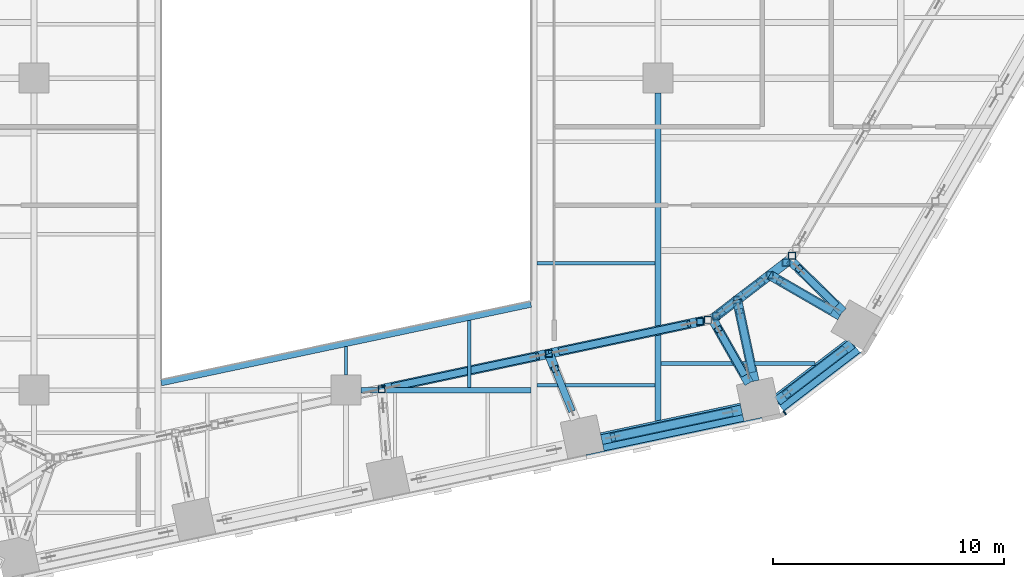
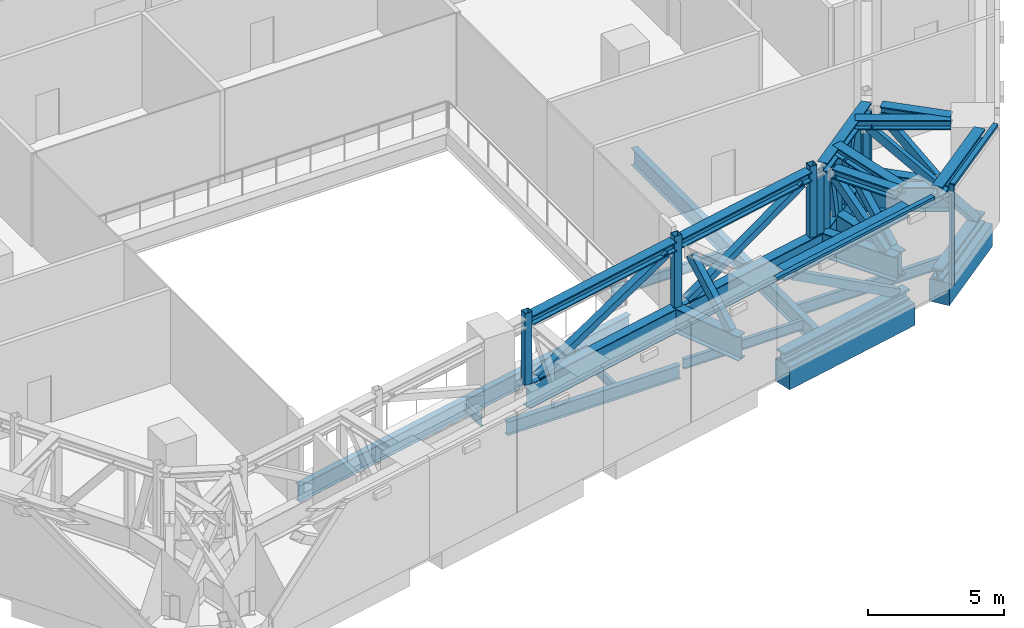
# One storey, part 6 of 36: 42 members, 10 beams, 2 elements without a shape of their own.
"""IFC4 building model written with IfcOpenShell, lengths in metres."""

from ifc_helpers import new_model, si_unit, direction, frame, origin, origin_2d, place, context, subcontext, project, spatial, rectangle, hollow_rectangle, i_section, extrude, material, layer, layer_set, material_profile, profile_set, type_object, element, aggregate, save


model = new_model("IFC4")

# Units and contexts
model_context = context("Model", 3, precision=1e-05, world=origin(), true_north=direction((0.0, 1.0)))
body_context = subcontext(model_context, "Body", "Model", "MODEL_VIEW")
ifc_project = project(units=[si_unit("LENGTHUNIT", "METRE"), si_unit("AREAUNIT", "SQUARE_METRE"), si_unit("VOLUMEUNIT", "CUBIC_METRE"), si_unit("PLANEANGLEUNIT", "RADIAN"), si_unit("MASSUNIT", "GRAM", prefix="KILO")], contexts=[model_context])

# Site, building, storey
site_placement = place(None, origin())
site = spatial("IfcSite", under=ifc_project, at=site_placement, CompositionType="ELEMENT")
building_placement = place(site_placement, origin())
building = spatial("IfcBuilding", under=site, at=building_placement, Name="Isthmus Gate Tower", CompositionType="ELEMENT")
storey_placement = place(building_placement, frame((0.0, 0.0, 117.14990234375)))
storey = spatial("IfcBuildingStorey", under=building, at=storey_placement, Name="L28", CompositionType="ELEMENT", Elevation=117.14990234375)

# Members
ifc_material_1 = material(Name="Structural steel ASTM A913 Gr 65", Category="steel")
ifc_material_profile_1 = material_profile(ifc_material_1, i_section(OverallWidth=0.4287109375, OverallDepth=0.482666015625, WebThickness=0.05078125, FlangeThickness=0.0810546875, at=origin_2d()), Name="W14X455")
ifc_profile_set_1 = profile_set([ifc_material_profile_1], Name="Structural steel ASTM A913 Gr 65")
member_type_1 = type_object("IfcMemberType", Name="BELT TRUSS CHORD W14X455", PredefinedType="CHORD", material=ifc_profile_set_1)
for number, where, z_axis, x_axis, name in (
    (1, (21.892822265625, -24.997314453125, 0.241455078125), (-0.794158246476, -0.607711016483, 0.0), (0.607711016483, -0.794158246476, 0.0), "str-belt09-L28-01"),
    (2, (21.892822265625, -24.997314453125, 3.958740234375), (-0.794158246476, -0.607711016483, 0.0), (0.607711016483, -0.794158246476, 0.0), "str-belt09-L28-02"),
):
    element("IfcMember", number, at=place(storey_placement, frame(where, z_axis=z_axis, x_axis=x_axis)), inside=storey, type_object=member_type_1, Name=name, PredefinedType="CHORD", context=body_context, shape_type="SweptSolid", body=[
        extrude(i_section(OverallWidth=0.4287109375, OverallDepth=0.482666015625, WebThickness=0.05078125, FlangeThickness=0.0810546875, at=origin_2d()), origin(), (0.0, 0.0, 1.0), 4.063232421875),
    ])
for number, where, z_axis, x_axis, name in (
    (3, (17.112060546875, -27.8515625, 0.241455078125), (-0.978147421176, -0.207912535568, 0.0), (0.207912535568, -0.978147421176, 0.0), "str-belt10-L28-01"),
    (4, (17.112060546875, -27.8515625, 3.958740234375), (-0.978147421176, -0.207912535568, 0.0), (0.207912535568, -0.978147421176, 0.0), "str-belt10-L28-02"),
):
    element("IfcMember", number, at=place(storey_placement, frame(where, z_axis=z_axis, x_axis=x_axis)), inside=storey, type_object=member_type_1, Name=name, PredefinedType="CHORD", context=body_context, shape_type="SweptSolid", body=[
        extrude(i_section(OverallWidth=0.4287109375, OverallDepth=0.482666015625, WebThickness=0.05078125, FlangeThickness=0.0810546875, at=origin_2d()), origin(), (0.0, 0.0, 1.0), 6.189453125),
    ])

# Curtain wall, member
ifc_material_2 = material(Name="Aluminium, pale champagne anodised", Category="aluminium")
ifc_layer = layer(ifc_material_2, 0.199951171875)
ifc_layer_set = layer_set([ifc_layer], Name="CW-2 LOUVRE CURTAIN WALL 200 DEEP")
curtain_wall_type = type_object("IfcCurtainWallType", Name="CW-2 LOUVRE CURTAIN WALL 200 DEEP", PredefinedType="NOTDEFINED", material=ifc_layer_set)
curtain_wall_1_placement = place(storey_placement, origin())
curtain_wall_1 = element("IfcCurtainWall", 5, at=curtain_wall_1_placement, inside=storey, type_object=curtain_wall_type, Name="CW-2 S-SE L28", PredefinedType="NOTDEFINED")
ifc_material_3 = material(Name="Aluminium, pale champagne anodised", Category="aluminium")
ifc_material_profile_2 = material_profile(ifc_material_3, rectangle(XDim=0.06005859375, YDim=0.199951171875, at=origin_2d()), Name="60x200")
ifc_profile_set_2 = profile_set([ifc_material_profile_2], Name="Aluminium, pale champagne anodised")
member_type_2 = type_object("IfcMemberType", Name="CW-2 MULLION 60 X 200", PredefinedType="MULLION", material=ifc_profile_set_2)
member_1_placement = place(storey_placement, frame((18.978759765625, -27.982421875, 0.0), z_axis=(0.0, 0.0, 1.0), x_axis=(0.794188594387, 0.607671355706, 0.0)))
member_1 = element("IfcMember", 6, at=member_1_placement, type_object=member_type_2, Name="CW-2 mullion", PredefinedType="MULLION", context=body_context, shape_type="SweptSolid", body=[
    extrude(rectangle(XDim=0.06005859375, YDim=0.199951171875, at=origin_2d()), origin(), (0.0, 0.0, 1.0), 4.5),
])

curtain_wall_2_placement = place(storey_placement, origin())
curtain_wall_2 = element("IfcCurtainWall", 7, at=curtain_wall_2_placement, inside=storey, type_object=curtain_wall_type, Name="CW-2 S L28", PredefinedType="NOTDEFINED")
ifc_material_4 = material(Name="Aluminium, pale champagne anodised", Category="aluminium")
ifc_material_profile_3 = material_profile(ifc_material_4, rectangle(XDim=0.199951171875, YDim=0.1201171875, at=origin_2d()), Name="200x120")
ifc_profile_set_3 = profile_set([ifc_material_profile_3], Name="Aluminium, pale champagne anodised")
member_type_3 = type_object("IfcMemberType", Name="CW-2 TRANSOM 200 X 120", PredefinedType="USERDEFINED", material=ifc_profile_set_3)
member_2_placement = place(storey_placement, frame((10.400146484375, -29.8916015625, 4.440185546875), z_axis=(0.978150565745, 0.207897741047, 0.0), x_axis=(-0.207897741047, 0.978150565745, 0.0)))
member_2 = element("IfcMember", 8, at=member_2_placement, type_object=member_type_3, Name="CW-2 transom", ObjectType="TRANSOM", PredefinedType="USERDEFINED", context=body_context, shape_type="SweptSolid", body=[
    extrude(rectangle(XDim=0.199951171875, YDim=0.1201171875, at=origin_2d()), origin(), (0.0, 0.0, 1.0), 7.789306640625),
])
aggregate(curtain_wall_2, [member_2])

# Member
member_3_placement = place(storey_placement, frame((19.002685546875, -27.96435546875, 4.440185546875), z_axis=(0.794175498212, 0.607688471209, 0.0), x_axis=(-0.607688471209, 0.794175498212, 0.0)))
member_3 = element("IfcMember", 9, at=member_3_placement, type_object=member_type_3, Name="CW-2 transom", ObjectType="TRANSOM", PredefinedType="USERDEFINED", context=body_context, shape_type="SweptSolid", body=[
    extrude(rectangle(XDim=0.199951171875, YDim=0.1201171875, at=origin_2d()), origin(), (0.0, 0.0, 1.0), 4.181396484375),
])

aggregate(curtain_wall_1, [member_1, member_3])

# Beams
ifc_material_5 = material(Name="Concrete f'c 70 MPa", Category="concrete")
ifc_material_profile_4 = material_profile(ifc_material_5, rectangle(XDim=0.800048828125, YDim=1.0, at=origin_2d()), Name="RC 800X1000")
ifc_profile_set_4 = profile_set([ifc_material_profile_4], Name="Concrete f'c 70 MPa")
beam_type_1 = type_object("IfcBeamType", Name="RC SPANDREL 800 X 1000", PredefinedType="SPANDREL", material=ifc_profile_set_4)
beam_1_placement = place(storey_placement, frame((21.98681640625, -25.051513671875, -0.5), z_axis=(-0.794205941875, -0.607648682949, 0.0), x_axis=(0.607648682949, -0.794205941875, 0.0)))
element("IfcBeam", 10, at=beam_1_placement, inside=storey, type_object=beam_type_1, Name="str-spandrel-L28-09", PredefinedType="SPANDREL", context=body_context, shape_type="SweptSolid", body=[
    extrude(rectangle(XDim=0.800048828125, YDim=1.0, at=origin_2d()), origin(), (0.0, 0.0, 1.0), 4.15234375),
])
beam_2_placement = place(storey_placement, frame((17.1328125, -27.949462890625, -0.5), z_axis=(-0.978147421176, -0.207912535568, 0.0), x_axis=(0.207912535568, -0.978147421176, 0.0)))
element("IfcBeam", 11, at=beam_2_placement, inside=storey, type_object=beam_type_1, Name="str-spandrel-L28-10", PredefinedType="SPANDREL", context=body_context, shape_type="SweptSolid", body=[
    extrude(rectangle(XDim=0.800048828125, YDim=1.0, at=origin_2d()), origin(), (0.0, 0.0, 1.0), 6.189453125),
])
ifc_material_6 = material(Name="Structural steel ASTM A992 Gr 50", Category="steel")
ifc_material_profile_5 = material_profile(ifc_material_6, i_section(OverallWidth=0.1396484375, OverallDepth=0.4033203125, WebThickness=0.00634765625, FlangeThickness=0.010986328125, at=origin_2d()), Name="W16X31")
ifc_profile_set_5 = profile_set([ifc_material_profile_5], Name="Structural steel ASTM A992 Gr 50")
beam_type_2 = type_object("IfcBeamType", Name="STEEL FLOOR BEAM W16X31", PredefinedType="JOIST", material=ifc_profile_set_5)
beam_3_placement = place(storey_placement, frame((0.0, -26.35009765625, -0.50146484375), z_axis=(0.0, 1.0, 0.0), x_axis=(-1.0, 0.0, 0.0)))
element("IfcBeam", 12, at=beam_3_placement, inside=storey, type_object=beam_type_2, Name="str-beam-L28-18-00", PredefinedType="JOIST", context=body_context, shape_type="SweptSolid", body=[
    extrude(i_section(OverallWidth=0.1396484375, OverallDepth=0.4033203125, WebThickness=0.00634765625, FlangeThickness=0.010986328125, at=origin_2d()), origin(), (0.0, 0.0, 1.0), 1.23388671875),
])
beam_4_placement = place(storey_placement, frame((5.333251953125, -26.8857421875, -0.50146484375), z_axis=(0.0, 1.0, 0.0), x_axis=(-1.0, 0.0, 0.0)))
element("IfcBeam", 13, at=beam_4_placement, inside=storey, type_object=beam_type_2, Name="str-beam-L28-18-01", PredefinedType="JOIST", context=body_context, shape_type="SweptSolid", body=[
    extrude(i_section(OverallWidth=0.1396484375, OverallDepth=0.4033203125, WebThickness=0.00634765625, FlangeThickness=0.010986328125, at=origin_2d()), origin(), (0.0, 0.0, 1.0), 2.903076171875),
])
ifc_material_7 = material(Name="Structural steel ASTM A992 Gr 50", Category="steel")
ifc_material_profile_6 = material_profile(ifc_material_7, i_section(OverallWidth=0.15234375, OverallDepth=0.45068359375, WebThickness=0.0078125, FlangeThickness=0.010986328125, at=origin_2d()), Name="W18X35")
ifc_profile_set_6 = profile_set([ifc_material_profile_6], Name="Structural steel ASTM A992 Gr 50")
beam_type_3 = type_object("IfcBeamType", Name="STEEL FLOOR BEAM W18X35", PredefinedType="JOIST", material=ifc_profile_set_6)
for number, where, z_axis, x_axis, name in (
    (14, (8.263427734375, -26.788818359375, -0.525390625), (1.0, 0.0, 0.0), (0.0, 1.0, 0.0), "str-beam-L28-23-00"),
    (15, (8.263427734375, -21.51513671875, -0.525390625), (1.0, 0.0, 0.0), (0.0, 1.0, 0.0), "str-beam-L28-23-01"),
):
    element("IfcBeam", number, at=place(storey_placement, frame(where, z_axis=z_axis, x_axis=x_axis)), inside=storey, type_object=beam_type_3, Name=name, PredefinedType="JOIST", context=body_context, shape_type="SweptSolid", body=[
        extrude(i_section(OverallWidth=0.15234375, OverallDepth=0.45068359375, WebThickness=0.0078125, FlangeThickness=0.010986328125, at=origin_2d()), origin(), (0.0, 0.0, 1.0), 5.103271484375),
    ])
ifc_material_8 = material(Name="Structural steel ASTM A992 Gr 50", Category="steel")
ifc_material_profile_7 = material_profile(ifc_material_8, i_section(OverallWidth=0.1650390625, OverallDepth=0.52392578125, WebThickness=0.009521484375, FlangeThickness=0.010986328125, at=origin_2d()), Name="W21X44")
ifc_profile_set_7 = profile_set([ifc_material_profile_7], Name="Structural steel ASTM A992 Gr 50")
beam_type_4 = type_object("IfcBeamType", Name="STEEL FLOOR BEAM W21X44", PredefinedType="JOIST", material=ifc_profile_set_7)
beam_5_placement = place(storey_placement, frame((13.63330078125, -25.842529296875, -0.561767578125), z_axis=(1.0, 0.0, 0.0), x_axis=(0.0, 1.0, 0.0)))
element("IfcBeam", 16, at=beam_5_placement, inside=storey, type_object=beam_type_4, Name="str-beam-L28-28-00", PredefinedType="JOIST", context=body_context, shape_type="SweptSolid", body=[
    extrude(i_section(OverallWidth=0.1650390625, OverallDepth=0.52392578125, WebThickness=0.009521484375, FlangeThickness=0.010986328125, at=origin_2d()), origin(), (0.0, 0.0, 1.0), 6.661376953125),
])
ifc_material_9 = material(Name="Structural steel ASTM A992 Gr 50", Category="steel")
ifc_material_profile_8 = material_profile(ifc_material_9, i_section(OverallWidth=0.228515625, OverallDepth=0.603271484375, WebThickness=0.010986328125, FlangeThickness=0.014404296875, at=origin_2d()), Name="W24X68")
ifc_profile_set_8 = profile_set([ifc_material_profile_8], Name="Structural steel ASTM A992 Gr 50")
beam_type_5 = type_object("IfcBeamType", Name="STEEL GIRDER W24X68", PredefinedType="BEAM", material=ifc_profile_set_8)
beam_6_placement = place(storey_placement, frame((0.64990234375, -27.0, -0.6015625), z_axis=(1.0, 0.0, 0.0), x_axis=(0.0, 1.0, 0.0)))
element("IfcBeam", 17, at=beam_6_placement, inside=storey, type_object=beam_type_5, Name="str-girder-L28-04", PredefinedType="BEAM", context=body_context, shape_type="SweptSolid", body=[
    extrude(i_section(OverallWidth=0.228515625, OverallDepth=0.603271484375, WebThickness=0.010986328125, FlangeThickness=0.014404296875, at=origin_2d()), origin(), (0.0, 0.0, 1.0), 7.35009765625),
])
ifc_material_10 = material(Name="Structural steel ASTM A992 Gr 50", Category="steel")
ifc_material_profile_9 = material_profile(ifc_material_10, i_section(OverallWidth=0.2666015625, OverallDepth=0.7587890625, WebThickness=0.014404296875, FlangeThickness=0.01904296875, at=origin_2d()), Name="W30X108")
ifc_profile_set_9 = profile_set([ifc_material_profile_9], Name="Structural steel ASTM A992 Gr 50")
beam_type_6 = type_object("IfcBeamType", Name="STEEL GIRDER W30X108", PredefinedType="BEAM", material=ifc_profile_set_9)
beam_7_placement = place(storey_placement, frame((13.5, -28.3125, -0.67919921875), z_axis=(0.0, 1.0, 0.0), x_axis=(-1.0, 0.0, 0.0)))
element("IfcBeam", 18, at=beam_7_placement, inside=storey, type_object=beam_type_6, Name="str-girder-L28-32", PredefinedType="BEAM", context=body_context, shape_type="SweptSolid", body=[
    extrude(i_section(OverallWidth=0.2666015625, OverallDepth=0.7587890625, WebThickness=0.014404296875, FlangeThickness=0.01904296875, at=origin_2d()), origin(), (0.0, 0.0, 1.0), 14.16259765625),
])
ifc_material_11 = material(Name="Structural steel ASTM A992 Gr 50", Category="steel")
ifc_material_profile_10 = material_profile(ifc_material_11, i_section(OverallWidth=0.2666015625, OverallDepth=0.7587890625, WebThickness=0.014404296875, FlangeThickness=0.01904296875, at=origin_2d()), Name="W30X108")
ifc_profile_set_10 = profile_set([ifc_material_profile_10], Name="Structural steel ASTM A992 Gr 50")
beam_type_7 = type_object("IfcBeamType", Name="STEEL TRIMMER W30X108", PredefinedType="BEAM", material=ifc_profile_set_10)
beam_8_placement = place(storey_placement, frame((-8.0, -26.680419921875, -0.67919921875), z_axis=(0.978147924985, 0.20791016533, 0.0), x_axis=(-0.20791016533, 0.978147924985, 0.0)))
element("IfcBeam", 19, at=beam_8_placement, inside=storey, type_object=beam_type_7, Name="str-trimmer-L28-03", PredefinedType="BEAM", context=body_context, shape_type="SweptSolid", body=[
    extrude(i_section(OverallWidth=0.2666015625, OverallDepth=0.7587890625, WebThickness=0.014404296875, FlangeThickness=0.01904296875, at=origin_2d()), origin(), (0.0, 0.0, 1.0), 16.357421875),
])

# Members
ifc_material_12 = material(Name="Structural steel ASTM A913 Gr 65", Category="steel")
ifc_material_profile_11 = material_profile(ifc_material_12, i_section(OverallWidth=0.40966796875, OverallDepth=0.42529296875, WebThickness=0.033203125, FlangeThickness=0.052490234375, at=origin_2d()), Name="W14X283")
ifc_profile_set_11 = profile_set([ifc_material_profile_11], Name="Structural steel ASTM A913 Gr 65")
member_type_4 = type_object("IfcMemberType", Name="TRANSFER TRUSS CHORD W14X283", PredefinedType="CHORD", material=ifc_profile_set_11)
member_4_placement = place(storey_placement, frame((19.193115234375, -21.356689453125, 3.887451171875), z_axis=(-0.794209705394, -0.607643763942, 0.0), x_axis=(0.607643763942, -0.794209705394, 0.0)))
element("IfcMember", 20, at=member_4_placement, inside=storey, type_object=member_type_4, Name="str-ring04-L28-06", PredefinedType="CHORD", context=body_context, shape_type="SweptSolid", body=[
    extrude(i_section(OverallWidth=0.40966796875, OverallDepth=0.42529296875, WebThickness=0.033203125, FlangeThickness=0.052490234375, at=origin_2d()), origin(), (0.0, 0.0, 1.0), 4.211181640625),
])
member_5_placement = place(storey_placement, frame((15.16943359375, -24.06005859375, 3.887451171875), z_axis=(-0.978152923929, -0.207886645575, 0.0), x_axis=(0.207886645575, -0.978152923929, 0.0)))
element("IfcMember", 21, at=member_5_placement, inside=storey, type_object=member_type_4, Name="str-ring05-L28-14", PredefinedType="CHORD", context=body_context, shape_type="SweptSolid", body=[
    extrude(i_section(OverallWidth=0.40966796875, OverallDepth=0.42529296875, WebThickness=0.033203125, FlangeThickness=0.052490234375, at=origin_2d()), origin(), (0.0, 0.0, 1.0), 6.38623046875),
])
member_6_placement = place(storey_placement, frame((8.62451171875, -25.451171875, 3.887451171875), z_axis=(-0.978145452061, -0.207921799274, 0.0), x_axis=(0.207921799274, -0.978145452061, 0.0)))
element("IfcMember", 22, at=member_6_placement, inside=storey, type_object=member_type_4, Name="str-ring05-L28-15", PredefinedType="CHORD", context=body_context, shape_type="SweptSolid", body=[
    extrude(i_section(OverallWidth=0.40966796875, OverallDepth=0.42529296875, WebThickness=0.033203125, FlangeThickness=0.052490234375, at=origin_2d()), origin(), (0.0, 0.0, 1.0), 7.086181640625),
])
member_7_placement = place(storey_placement, frame((17.665771484375, -26.609375, 3.887451171875), z_axis=(-0.207880707523, 0.978154185923, 0.0), x_axis=(-0.978154185923, -0.207880707523, 0.0)))
element("IfcMember", 23, at=member_7_placement, inside=storey, type_object=member_type_4, Name="str-link17-L28-02", PredefinedType="CHORD", context=body_context, shape_type="SweptSolid", body=[
    extrude(i_section(OverallWidth=0.40966796875, OverallDepth=0.42529296875, WebThickness=0.033203125, FlangeThickness=0.052490234375, at=origin_2d()), origin(), (0.0, 0.0, 1.0), 3.59130859375),
])
member_8_placement = place(storey_placement, frame((21.376220703125, -23.775146484375, 3.887451171875), z_axis=(-0.866026063804, 0.499998856811, 0.0), x_axis=(-0.499998856811, -0.866026063804, 0.0)))
element("IfcMember", 24, at=member_8_placement, inside=storey, type_object=member_type_4, Name="str-link18-L28-02", PredefinedType="CHORD", context=body_context, shape_type="SweptSolid", body=[
    extrude(i_section(OverallWidth=0.40966796875, OverallDepth=0.42529296875, WebThickness=0.033203125, FlangeThickness=0.052490234375, at=origin_2d()), origin(), (0.0, 0.0, 1.0), 3.51708984375),
])
member_9_placement = place(storey_placement, frame((21.497802734375, -23.615234375, 3.887451171875), z_axis=(-0.714213754731, 0.699927648084, 0.0), x_axis=(-0.699927648084, -0.714213754731, 0.0)))
element("IfcMember", 25, at=member_9_placement, inside=storey, type_object=member_type_4, Name="str-link31-L28-02", PredefinedType="CHORD", context=body_context, shape_type="SweptSolid", body=[
    extrude(i_section(OverallWidth=0.40966796875, OverallDepth=0.42529296875, WebThickness=0.033203125, FlangeThickness=0.052490234375, at=origin_2d()), origin(), (0.0, 0.0, 1.0), 2.666015625),
])
member_10_placement = place(storey_placement, frame((17.435791015625, -26.697021484375, 3.887451171875), z_axis=(-0.495668559922, 0.868511760833, 0.0), x_axis=(-0.868511760833, -0.495668559922, 0.0)))
element("IfcMember", 26, at=member_10_placement, inside=storey, type_object=member_type_4, Name="str-link32-L28-02", PredefinedType="CHORD", context=body_context, shape_type="SweptSolid", body=[
    extrude(i_section(OverallWidth=0.40966796875, OverallDepth=0.42529296875, WebThickness=0.033203125, FlangeThickness=0.052490234375, at=origin_2d()), origin(), (0.0, 0.0, 1.0), 2.683349609375),
])
ifc_material_13 = material(Name="Structural steel ASTM A913 Gr 65", Category="steel")
ifc_material_profile_12 = material_profile(ifc_material_13, i_section(OverallWidth=0.39990234375, OverallDepth=1.089111328125, WebThickness=0.017578125, FlangeThickness=0.03173828125, at=origin_2d()), Name="W44X230")
ifc_profile_set_12 = profile_set([ifc_material_profile_12], Name="Structural steel ASTM A913 Gr 65")
member_type_5 = type_object("IfcMemberType", Name="TRANSFER TRUSS CHORD W44X230", PredefinedType="CHORD", material=ifc_profile_set_12)
member_11_placement = place(storey_placement, frame((19.193115234375, -21.356689453125, 0.544677734375), z_axis=(-0.794209705394, -0.607643763942, 0.0), x_axis=(0.607643763942, -0.794209705394, 0.0)))
element("IfcMember", 27, at=member_11_placement, inside=storey, type_object=member_type_5, Name="str-ring04-L28-05", PredefinedType="CHORD", context=body_context, shape_type="SweptSolid", body=[
    extrude(i_section(OverallWidth=0.39990234375, OverallDepth=1.089111328125, WebThickness=0.017578125, FlangeThickness=0.03173828125, at=origin_2d()), origin(), (0.0, 0.0, 1.0), 4.211181640625),
])
member_12_placement = place(storey_placement, frame((15.8486328125, -23.91552734375, 0.544677734375), z_axis=(-0.978145380732, -0.207922134832, 0.0), x_axis=(0.207922134832, -0.978145380732, 0.0)))
element("IfcMember", 28, at=member_12_placement, inside=storey, type_object=member_type_5, Name="str-ring05-L28-09", PredefinedType="CHORD", context=body_context, shape_type="SweptSolid", body=[
    extrude(i_section(OverallWidth=0.39990234375, OverallDepth=1.089111328125, WebThickness=0.017578125, FlangeThickness=0.03173828125, at=origin_2d()), origin(), (0.0, 0.0, 1.0), 7.23291015625),
])
member_13_placement = place(storey_placement, frame((8.773681640625, -25.41943359375, 0.544677734375), z_axis=(-0.978149111547, -0.207904582874, 0.0), x_axis=(0.207904582874, -0.978149111547, 0.0)))
element("IfcMember", 29, at=member_13_placement, inside=storey, type_object=member_type_5, Name="str-ring05-L28-10", PredefinedType="CHORD", context=body_context, shape_type="SweptSolid", body=[
    extrude(i_section(OverallWidth=0.39990234375, OverallDepth=1.089111328125, WebThickness=0.017578125, FlangeThickness=0.03173828125, at=origin_2d()), origin(), (0.0, 0.0, 1.0), 7.39111328125),
])
member_14_placement = place(storey_placement, frame((9.91552734375, -28.268798828125, 0.544677734375), z_axis=(-0.371980249656, 0.928240644373, 0.0), x_axis=(-0.928240644373, -0.371980249656, 0.0)))
element("IfcMember", 30, at=member_14_placement, inside=storey, type_object=member_type_5, Name="str-link16-L28-01", PredefinedType="CHORD", context=body_context, shape_type="SweptSolid", body=[
    extrude(i_section(OverallWidth=0.39990234375, OverallDepth=1.089111328125, WebThickness=0.017578125, FlangeThickness=0.03173828125, at=origin_2d()), origin(), (0.0, 0.0, 1.0), 3.069580078125),
])
member_15_placement = place(storey_placement, frame((17.665771484375, -26.609375, 0.544677734375), z_axis=(-0.207880707523, 0.978154185923, 0.0), x_axis=(-0.978154185923, -0.207880707523, 0.0)))
element("IfcMember", 31, at=member_15_placement, inside=storey, type_object=member_type_5, Name="str-link17-L28-01", PredefinedType="CHORD", context=body_context, shape_type="SweptSolid", body=[
    extrude(i_section(OverallWidth=0.39990234375, OverallDepth=1.089111328125, WebThickness=0.017578125, FlangeThickness=0.03173828125, at=origin_2d()), origin(), (0.0, 0.0, 1.0), 3.59130859375),
])
member_16_placement = place(storey_placement, frame((21.376220703125, -23.775146484375, 0.544677734375), z_axis=(-0.866026063804, 0.499998856811, 0.0), x_axis=(-0.499998856811, -0.866026063804, 0.0)))
element("IfcMember", 32, at=member_16_placement, inside=storey, type_object=member_type_5, Name="str-link18-L28-01", PredefinedType="CHORD", context=body_context, shape_type="SweptSolid", body=[
    extrude(i_section(OverallWidth=0.39990234375, OverallDepth=1.089111328125, WebThickness=0.017578125, FlangeThickness=0.03173828125, at=origin_2d()), origin(), (0.0, 0.0, 1.0), 3.51708984375),
])
member_17_placement = place(storey_placement, frame((21.497802734375, -23.615234375, 0.544677734375), z_axis=(-0.714220403451, 0.699920863594, 0.0), x_axis=(-0.699920863594, -0.714220403451, 0.0)))
element("IfcMember", 33, at=member_17_placement, inside=storey, type_object=member_type_5, Name="str-link31-L28-01", PredefinedType="CHORD", context=body_context, shape_type="SweptSolid", body=[
    extrude(i_section(OverallWidth=0.39990234375, OverallDepth=1.089111328125, WebThickness=0.017578125, FlangeThickness=0.03173828125, at=origin_2d()), origin(), (0.0, 0.0, 1.0), 3.226806640625),
])
member_18_placement = place(storey_placement, frame((17.435791015625, -26.697021484375, 0.544677734375), z_axis=(-0.495605198069, 0.868547919028, 0.0), x_axis=(-0.868547919028, -0.495605198069, 0.0)))
element("IfcMember", 34, at=member_18_placement, inside=storey, type_object=member_type_5, Name="str-link32-L28-01", PredefinedType="CHORD", context=body_context, shape_type="SweptSolid", body=[
    extrude(i_section(OverallWidth=0.39990234375, OverallDepth=1.089111328125, WebThickness=0.017578125, FlangeThickness=0.03173828125, at=origin_2d()), origin(), (0.0, 0.0, 1.0), 3.202392578125),
])
ifc_material_14 = material(Name="Structural steel ASTM A500 Gr C", Category="steel")
ifc_material_profile_13 = material_profile(ifc_material_14, hollow_rectangle(XDim=0.3046875, YDim=0.3046875, WallThickness=0.014892578125, at=origin_2d()), Name="HSS12X12X5/8")
ifc_profile_set_13 = profile_set([ifc_material_profile_13], Name="Structural steel ASTM A500 Gr C")
member_type_6 = type_object("IfcMemberType", Name="TRANSFER TRUSS DIAGONAL HSS12X12X5/8", PredefinedType="BRACE", material=ifc_profile_set_13)
member_19_placement = place(storey_placement, frame((17.31640625, -22.79248046875, 1.089111328125), z_axis=(0.228593087557, 0.17488094594, 0.95768567655), x_axis=(-0.607613355692, 0.794232969591, 0.0)))
element("IfcMember", 35, at=member_19_placement, inside=storey, type_object=member_type_6, Name="str-ring04-L28-07", PredefinedType="BRACE", context=body_context, shape_type="SweptSolid", body=[
    extrude(hollow_rectangle(XDim=0.3046875, YDim=0.3046875, WallThickness=0.014892578125, at=origin_2d()), origin(), (0.0, 0.0, 1.0), 2.699951171875),
])
member_20_placement = place(storey_placement, frame((16.70166015625, -23.262939453125, 1.089111328125), z_axis=(-0.179537516737, -0.137320446971, 0.974119794957), x_axis=(0.607525624175, -0.794300079297, 0.0)))
element("IfcMember", 36, at=member_20_placement, inside=storey, type_object=member_type_6, Name="str-ring04-L28-08", PredefinedType="BRACE", context=body_context, shape_type="SweptSolid", body=[
    extrude(hollow_rectangle(XDim=0.3046875, YDim=0.3046875, WallThickness=0.014892578125, at=origin_2d()), origin(), (0.0, 0.0, 1.0), 2.654296875),
])
member_21_placement = place(storey_placement, frame((9.2626953125, -25.3154296875, 1.089111328125), z_axis=(0.890542725895, 0.189271086781, 0.41365457699), x_axis=(-0.20789107946, 0.978151981586, 0.0)))
element("IfcMember", 37, at=member_21_placement, inside=storey, type_object=member_type_6, Name="str-ring05-L28-19", PredefinedType="BRACE", context=body_context, shape_type="SweptSolid", body=[
    extrude(hollow_rectangle(XDim=0.3046875, YDim=0.3046875, WallThickness=0.014892578125, at=origin_2d()), origin(), (0.0, 0.0, 1.0), 6.250732421875),
])
member_22_placement = place(storey_placement, frame((2.033203125, -26.852294921875, 1.089111328125), z_axis=(0.90674784852, 0.192745002714, 0.375043601643), x_axis=(-0.207921803136, 0.97814545124, 0.0)))
element("IfcMember", 38, at=member_22_placement, inside=storey, type_object=member_type_6, Name="str-ring05-L28-20", PredefinedType="BRACE", context=body_context, shape_type="SweptSolid", body=[
    extrude(hollow_rectangle(XDim=0.3046875, YDim=0.3046875, WallThickness=0.014892578125, at=origin_2d()), origin(), (0.0, 0.0, 1.0), 6.894287109375),
])
member_23_placement = place(storey_placement, frame((9.7294921875, -27.804443359375, 1.089111328125), z_axis=(-0.217111192411, 0.541858018347, 0.811943728397), x_axis=(-0.928259153668, -0.371934058176, 0.0)))
element("IfcMember", 39, at=member_23_placement, inside=storey, type_object=member_type_6, Name="str-link16-L28-03", PredefinedType="BRACE", context=body_context, shape_type="SweptSolid", body=[
    extrude(hollow_rectangle(XDim=0.3046875, YDim=0.3046875, WallThickness=0.014892578125, at=origin_2d()), origin(), (0.0, 0.0, 1.0), 3.1845703125),
])
member_24_placement = place(storey_placement, frame((17.561767578125, -26.1201171875, 1.089111328125), z_axis=(-0.147124991709, 0.692407825892, 0.706346685034), x_axis=(-0.978162203112, -0.207842980164, 0.0)))
element("IfcMember", 40, at=member_24_placement, inside=storey, type_object=member_type_6, Name="str-link17-L28-03", PredefinedType="BRACE", context=body_context, shape_type="SweptSolid", body=[
    extrude(hollow_rectangle(XDim=0.3046875, YDim=0.3046875, WallThickness=0.014892578125, at=origin_2d()), origin(), (0.0, 0.0, 1.0), 3.66064453125),
])
member_25_placement = place(storey_placement, frame((20.943115234375, -23.525146484375, 1.089111328125), z_axis=(-0.604053885108, 0.348778872954, 0.716569746548), x_axis=(-0.500030321368, -0.866007897027, 0.0)))
element("IfcMember", 41, at=member_25_placement, inside=storey, type_object=member_type_6, Name="str-link18-L28-03", PredefinedType="BRACE", context=body_context, shape_type="SweptSolid", body=[
    extrude(hollow_rectangle(XDim=0.3046875, YDim=0.3046875, WallThickness=0.014892578125, at=origin_2d()), origin(), (0.0, 0.0, 1.0), 3.6083984375),
])
member_26_placement = place(storey_placement, frame((21.140625, -23.265380859375, 1.089111328125), z_axis=(-0.458603025496, 0.449483078967, 0.766582172196), x_axis=(-0.699969978827, -0.714172268252, 0.0)))
element("IfcMember", 42, at=member_26_placement, inside=storey, type_object=member_type_6, Name="str-link31-L28-03", PredefinedType="BRACE", context=body_context, shape_type="SweptSolid", body=[
    extrude(hollow_rectangle(XDim=0.3046875, YDim=0.3046875, WallThickness=0.014892578125, at=origin_2d()), origin(), (0.0, 0.0, 1.0), 3.373046875),
])
member_27_placement = place(storey_placement, frame((17.18798828125, -26.2626953125, 1.089111328125), z_axis=(-0.319801768107, 0.560320399929, 0.764047039481), x_axis=(-0.868497630904, -0.4956933176, 0.0)))
element("IfcMember", 43, at=member_27_placement, inside=storey, type_object=member_type_6, Name="str-link32-L28-03", PredefinedType="BRACE", context=body_context, shape_type="SweptSolid", body=[
    extrude(hollow_rectangle(XDim=0.3046875, YDim=0.3046875, WallThickness=0.014892578125, at=origin_2d()), origin(), (0.0, 0.0, 1.0), 3.38427734375),
])
ifc_material_15 = material(Name="Structural steel ASTM A500 Gr C", Category="steel")
ifc_material_profile_14 = material_profile(ifc_material_15, hollow_rectangle(XDim=0.3046875, YDim=0.3046875, WallThickness=0.014892578125, at=origin_2d()), Name="HSS12X12X5/8")
ifc_profile_set_14 = profile_set([ifc_material_profile_14], Name="Structural steel ASTM A500 Gr C")
member_type_7 = type_object("IfcMemberType", Name="TRANSFER TRUSS POST HSS12X12X5/8", PredefinedType="POST", material=ifc_profile_set_14)
for number, where, z_axis, x_axis, name in (
    (44, (19.293212890625, -21.18310546875, 1.089111328125), (0.0, 0.0, 1.0), (1.0, 0.0, 0.0), "str-ring03-L28-10"),
    (45, (19.0341796875, -21.47802734375, 1.089111328125), (0.0, 0.0, 1.0), (1.0, 0.0, 0.0), "str-ring04-L28-01"),
    (46, (18.33056640625, -22.0166015625, 1.089111328125), (0.0, 0.0, 1.0), (1.0, 0.0, 0.0), "str-ring04-L28-02"),
    (47, (16.91943359375, -23.096435546875, 1.089111328125), (0.0, 0.0, 1.0), (1.0, 0.0, 0.0), "str-ring04-L28-03"),
    (48, (16.007568359375, -23.7939453125, 1.089111328125), (0.0, 0.0, 1.0), (1.0, 0.0, 0.0), "str-ring04-L28-04"),
    (49, (15.65283203125, -23.957275390625, 1.089111328125), (0.0, 0.0, 1.0), (1.0, 0.0, 0.0), "str-ring05-L28-01"),
):
    element("IfcMember", number, at=place(storey_placement, frame(where, z_axis=z_axis, x_axis=x_axis)), inside=storey, type_object=member_type_7, Name=name, PredefinedType="POST", context=body_context, shape_type="SweptSolid", body=[
        extrude(hollow_rectangle(XDim=0.3046875, YDim=0.3046875, WallThickness=0.014892578125, at=origin_2d()), origin(), (0.0, 0.0, 1.0), 2.585693359375),
    ])
for number, where, z_axis, x_axis, name in (
    (50, (15.318359375, -24.0283203125, 1.089111328125), (0.0, 0.0, 1.0), (1.0, 0.0, 0.0), "str-ring05-L28-02"),
    (51, (8.773681640625, -25.41943359375, 1.089111328125), (0.0, 0.0, 1.0), (1.0, 0.0, 0.0), "str-ring05-L28-03"),
    (52, (1.544189453125, -26.9560546875, 1.089111328125), (0.0, 0.0, 1.0), (1.0, 0.0, 0.0), "str-ring05-L28-04"),
):
    element("IfcMember", number, at=place(storey_placement, frame(where, z_axis=z_axis, x_axis=x_axis)), inside=storey, type_object=member_type_7, Name=name, PredefinedType="POST", context=body_context, shape_type="SweptSolid", body=[
        extrude(hollow_rectangle(XDim=0.3046875, YDim=0.3046875, WallThickness=0.014892578125, at=origin_2d()), origin(), (0.0, 0.0, 1.0), 3.2109375),
    ])
ifc_material_16 = material(Name="Structural steel ASTM A500 Gr C", Category="steel")
ifc_material_profile_15 = material_profile(ifc_material_16, hollow_rectangle(XDim=0.355712890625, YDim=0.355712890625, WallThickness=0.017578125, at=origin_2d()), Name="HSS14X14X3/4")
ifc_profile_set_15 = profile_set([ifc_material_profile_15], Name="Structural steel ASTM A500 Gr C")
member_type_8 = type_object("IfcMemberType", Name="TRUSS DIAGONAL HSS14X14X3/4", PredefinedType="BRACE", material=ifc_profile_set_15)
member_28_placement = place(storey_placement, frame((21.495849609375, -25.30126953125, 0.482666015625), z_axis=(-0.546087572888, -0.417799463693, 0.726107410012), x_axis=(0.607636464683, -0.794215289948, 0.0)))
element("IfcMember", 53, at=member_28_placement, inside=storey, type_object=member_type_8, Name="str-belt09-L28-03", PredefinedType="BRACE", context=body_context, shape_type="SweptSolid", body=[
    extrude(hollow_rectangle(XDim=0.355712890625, YDim=0.355712890625, WallThickness=0.017578125, at=origin_2d()), origin(), (0.0, 0.0, 1.0), 4.455078125),
])
member_29_placement = place(storey_placement, frame((16.623046875, -27.95556640625, 0.482666015625), z_axis=(-0.830077113303, -0.176427817983, 0.529003980148), x_axis=(0.207899831035, -0.978150121533, 0.0)))
element("IfcMember", 54, at=member_29_placement, inside=storey, type_object=member_type_8, Name="str-belt10-L28-03", PredefinedType="BRACE", context=body_context, shape_type="SweptSolid", body=[
    extrude(hollow_rectangle(XDim=0.355712890625, YDim=0.355712890625, WallThickness=0.017578125, at=origin_2d()), origin(), (0.0, 0.0, 1.0), 6.114990234375),
])

save(model, "model.ifc")
